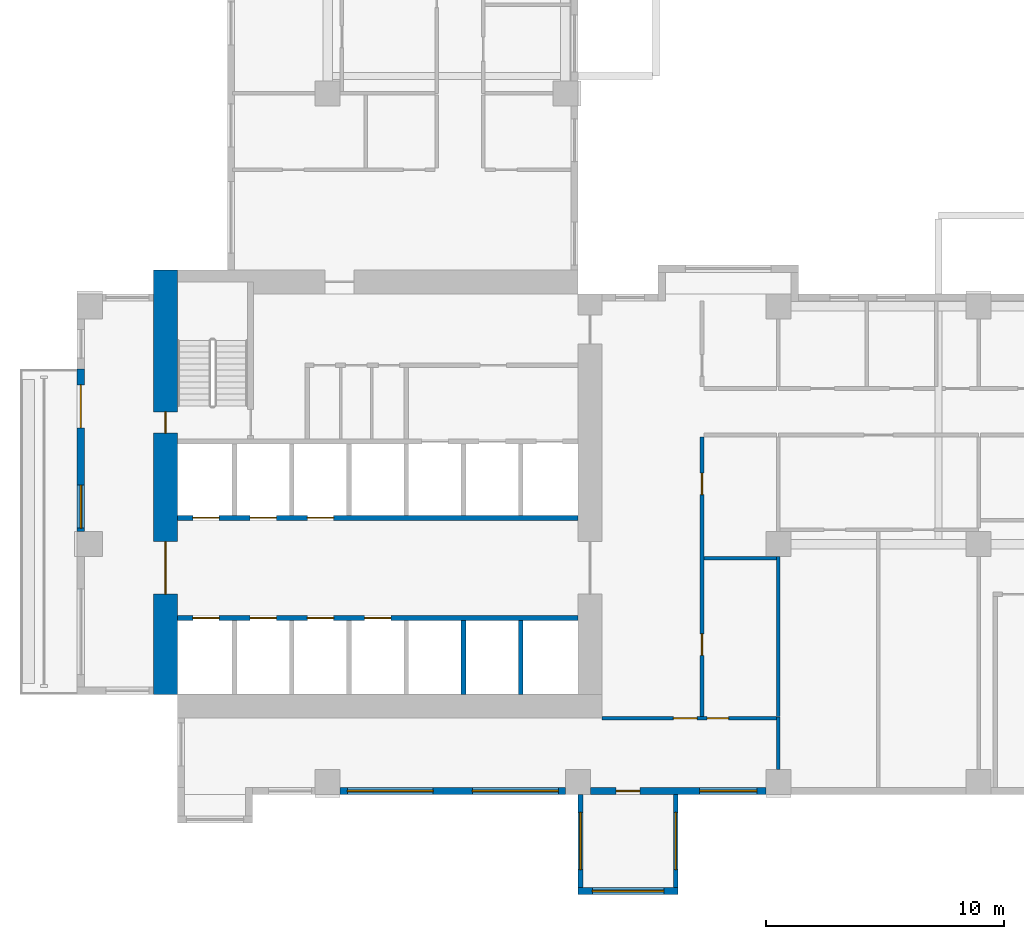
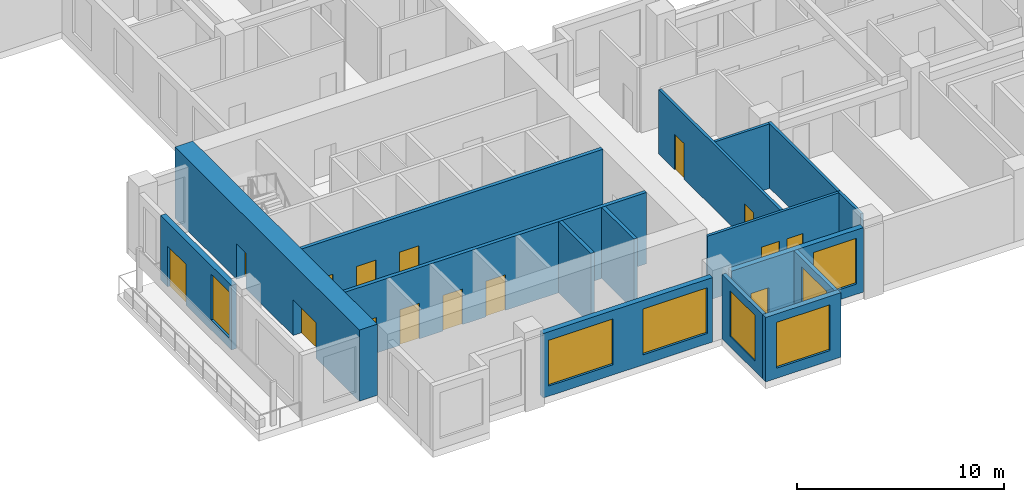
# One storey, part 2 of 14: 16 walls, 15 doors, 7 windows, 22 openings.
"""IFC4 building model written with IfcOpenShell, lengths in metres."""

from ifc_helpers import new_model, si_unit, direction, frame, frame_2d, origin, place, context, subcontext, project, spatial, rectangle, extrude, source, transform, mapped, material, layer, layer_set, type_object, element, fill, save


model = new_model("IFC4")

# Units and contexts
model_context = context("Model", 3, precision=1e-05, world=origin(), true_north=direction((0.0, 1.0)))
body_context = subcontext(model_context, "Body", "Model", "MODEL_VIEW")
ifc_project = project(units=[si_unit("LENGTHUNIT", "METRE"), si_unit("AREAUNIT", "SQUARE_METRE"), si_unit("VOLUMEUNIT", "CUBIC_METRE"), si_unit("PLANEANGLEUNIT", "RADIAN"), si_unit("MASSUNIT", "GRAM", prefix="KILO")], contexts=[model_context])

# Site, building, storey
site_placement = place(None, origin())
site = spatial("IfcSite", under=ifc_project, at=site_placement, CompositionType="ELEMENT")
building_placement = place(site_placement, origin())
building = spatial("IfcBuilding", under=site, at=building_placement, Name="Aurelian Terraces", CompositionType="ELEMENT")
storey_placement = place(building_placement, frame((0.0, 0.0, 116.1)))
storey = spatial("IfcBuildingStorey", under=building, at=storey_placement, Name="L25", CompositionType="ELEMENT", Elevation=116.1)

# Wall, openings, doors
ifc_material_1 = material(Name="Gypsum board on steel studs", Category="steel")
ifc_layer_1 = layer(ifc_material_1, 0.15)
ifc_layer_set_1 = layer_set([ifc_layer_1], Name="Partition 150")
wall_type_1 = type_object("IfcWallType", Name="Partition 150", PredefinedType="PARTITIONING", material=ifc_layer_set_1)
wall_1_placement = place(storey_placement, frame((26.2, 15.0, 0.0), z_axis=(0.0, 0.0, 1.0), x_axis=(0.0, -1.0, 0.0)))
wall_1 = element("IfcWall", 1, at=wall_1_placement, inside=storey, type_object=wall_type_1, Name="Partition", PredefinedType="PARTITIONING", context=body_context, shape_type="SweptSolid", body=[
    extrude(rectangle(XDim=11.725, YDim=0.15, at=frame_2d((5.8625, 0.0))), origin(), (0.0, 0.0, 1.0), 3.8),
])
shared_shape_1 = source(origin(), body_context, "Body", "SweptSolid", [
    extrude(rectangle(XDim=0.9, YDim=2.1, at=frame_2d((0.45, 1.05))), frame((0.0, 0.085, 0.0), z_axis=(0.0, -1.0, 0.0), x_axis=(1.0, 0.0, 0.0)), (0.0, 0.0, 1.0), 0.17),
])
opening_1_placement = place(wall_1_placement, frame((8.2625, 0.0, 0.0)))
opening_1 = element("IfcOpeningElement", 2, at=opening_1_placement, cuts=wall_1, Name="Opening 725001", PredefinedType="OPENING", context=body_context, shape_type="MappedRepresentation", body=[
    mapped(shared_shape_1, transform((0.0, 0.0, 0.0), scale=1.0)),
])
opening_2_placement = place(wall_1_placement, frame((1.525, 0.0, 0.0)))
opening_2 = element("IfcOpeningElement", 3, at=opening_2_placement, cuts=wall_1, Name="Opening 725002", PredefinedType="OPENING", context=body_context, shape_type="MappedRepresentation", body=[
    mapped(shared_shape_1, transform((0.0, 0.0, 0.0), scale=1.0)),
])
ifc_material_2 = material(Name="Timber door leaf", Category="wood")
door_type_1 = type_object("IfcDoorType", Name="Room door 900x2100 right", OperationType="SINGLE_SWING_RIGHT", PredefinedType="DOOR", material=ifc_material_2)
shared_shape_2 = source(origin(), body_context, "Body", "SweptSolid", [
    extrude(rectangle(XDim=0.9, YDim=2.1, at=frame_2d((0.45, 1.05))), frame((0.0, 0.025, 0.0), z_axis=(0.0, -1.0, 0.0), x_axis=(1.0, 0.0, 0.0)), (0.0, 0.0, 1.0), 0.05),
])
door_1_placement = place(opening_1_placement, origin())
door_1 = element("IfcDoor", 4, at=door_1_placement, inside=storey, type_object=door_type_1, Name="Door 725001", OperationType="SINGLE_SWING_RIGHT", OverallHeight=2.1, OverallWidth=0.9, PredefinedType="DOOR", context=body_context, shape_type="MappedRepresentation", body=[
    mapped(shared_shape_2, transform((0.0, 0.0, 0.0), scale=1.0)),
])
fill(opening_1, door_1)
door_type_2 = type_object("IfcDoorType", Name="Room door 900x2100 left", OperationType="SINGLE_SWING_LEFT", PredefinedType="DOOR", material=ifc_material_2)
door_2_placement = place(opening_2_placement, origin())
door_2 = element("IfcDoor", 5, at=door_2_placement, inside=storey, type_object=door_type_2, Name="Door 725002", OperationType="SINGLE_SWING_LEFT", OverallHeight=2.1, OverallWidth=0.9, PredefinedType="DOOR", context=body_context, shape_type="MappedRepresentation", body=[
    mapped(shared_shape_2, transform((0.0, 0.0, 0.0), scale=1.0)),
])
fill(opening_2, door_2)

# Wall
wall_2_placement = place(storey_placement, frame((29.325, 9.9, 0.0), z_axis=(0.0, 0.0, 1.0), x_axis=(-1.0, 0.0, 0.0)))
element("IfcWall", 6, at=wall_2_placement, inside=storey, type_object=wall_type_1, Name="Partition", PredefinedType="PARTITIONING", context=body_context, shape_type="SweptSolid", body=[
    extrude(rectangle(XDim=3.05, YDim=0.15, at=frame_2d((1.525, 0.0))), origin(), (0.0, 0.0, 1.0), 3.8),
])

# Wall, openings, doors
ifc_material_3 = material(Name="Concrete fc' 83 MPa", Category="concrete")
ifc_layer_2 = layer(ifc_material_3, 1.0)
ifc_layer_set_2 = layer_set([ifc_layer_2], Name="CORE WALL 1000 FC83")
wall_type_2 = type_object("IfcWallType", Name="CORE WALL 1000 FC83", PredefinedType="SHEAR", material=ifc_layer_set_2)
shared_shape_3 = source(origin(), body_context, "Body", "SweptSolid", [
    extrude(rectangle(XDim=17.8, YDim=1.0, at=frame_2d((8.9, 0.0))), origin(), (0.0, 0.0, 1.0), 4.2),
])
wall_3_placement = place(storey_placement, frame((3.7, 4.2, 0.0), z_axis=(0.0, 0.0, 1.0), x_axis=(0.0, 1.0, 0.0)))
wall_3 = element("IfcWall", 7, at=wall_3_placement, inside=storey, type_object=wall_type_2, Name="Core wall W L25", PredefinedType="SHEAR", context=body_context, shape_type="MappedRepresentation", body=[
    mapped(shared_shape_3, transform((0.0, 0.0, 0.0), scale=1.0)),
])
shared_shape_4 = source(origin(), body_context, "Body", "SweptSolid", [
    extrude(rectangle(XDim=2.2, YDim=2.1, at=frame_2d((1.1, 1.05))), frame((0.0, 0.51, 0.0), z_axis=(0.0, -1.0, 0.0), x_axis=(1.0, 0.0, 0.0)), (0.0, 0.0, 1.0), 1.02),
])
opening_3_placement = place(wall_3_placement, frame((4.2, 0.0, 0.0)))
opening_3 = element("IfcOpeningElement", 8, at=opening_3_placement, cuts=wall_3, Name="Opening 62822", PredefinedType="OPENING", context=body_context, shape_type="MappedRepresentation", body=[
    mapped(shared_shape_4, transform((0.0, 0.0, 0.0), scale=1.0)),
])
shared_shape_5 = source(origin(), body_context, "Body", "SweptSolid", [
    extrude(rectangle(XDim=0.9, YDim=2.1, at=frame_2d((0.45, 1.05))), frame((0.0, 0.51, 0.0), z_axis=(0.0, -1.0, 0.0), x_axis=(1.0, 0.0, 0.0)), (0.0, 0.0, 1.0), 1.02),
])
opening_4_placement = place(wall_3_placement, frame((10.95, 0.0, 0.0)))
opening_4 = element("IfcOpeningElement", 9, at=opening_4_placement, cuts=wall_3, Name="Opening 62825", PredefinedType="OPENING", context=body_context, shape_type="MappedRepresentation", body=[
    mapped(shared_shape_5, transform((0.0, 0.0, 0.0), scale=1.0)),
])
ifc_material_4 = material(Name="Steel door leaf", Category="steel")
door_type_3 = type_object("IfcDoorType", Name="Core service door 900x2100", OperationType="SINGLE_SWING_LEFT", PredefinedType="DOOR", material=ifc_material_4)
door_3_placement = place(opening_4_placement, origin())
door_3 = element("IfcDoor", 10, at=door_3_placement, inside=storey, type_object=door_type_3, Name="Core door 62825", OperationType="SINGLE_SWING_LEFT", OverallHeight=2.1, OverallWidth=0.9, PredefinedType="DOOR", context=body_context, shape_type="MappedRepresentation", body=[
    mapped(shared_shape_2, transform((0.0, 0.0, 0.0), scale=1.0)),
])
fill(opening_4, door_3)
door_type_4 = type_object("IfcDoorType", Name="Core double door 2200x2100", OperationType="DOUBLE_DOOR_SINGLE_SWING", PredefinedType="DOOR", material=ifc_material_4)
shared_shape_6 = source(origin(), body_context, "Body", "SweptSolid", [
    extrude(rectangle(XDim=2.2, YDim=2.1, at=frame_2d((1.1, 1.05))), frame((0.0, 0.025, 0.0), z_axis=(0.0, -1.0, 0.0), x_axis=(1.0, 0.0, 0.0)), (0.0, 0.0, 1.0), 0.05),
])
door_4_placement = place(opening_3_placement, origin())
door_4 = element("IfcDoor", 11, at=door_4_placement, inside=storey, type_object=door_type_4, Name="Core door 62822", OperationType="DOUBLE_DOOR_SINGLE_SWING", OverallHeight=2.1, OverallWidth=2.2, PredefinedType="DOOR", context=body_context, shape_type="MappedRepresentation", body=[
    mapped(shared_shape_6, transform((0.0, 0.0, 0.0), scale=1.0)),
])
fill(opening_3, door_4)

# Wall, opening, window
ifc_material_5 = material(Name="Concrete fc' 40 MPa", Category="concrete")
ifc_layer_3 = layer(ifc_material_5, 0.2)
ifc_layer_set_3 = layer_set([ifc_layer_3], Name="BOX BEARING WALL 200")
wall_type_3 = type_object("IfcWallType", Name="BOX BEARING WALL 200", PredefinedType="SOLIDWALL", material=ifc_layer_set_3)
shared_shape_7 = source(origin(), body_context, "Body", "SweptSolid", [
    extrude(rectangle(XDim=3.9, YDim=0.2, at=frame_2d((1.95, 0.0))), origin(), (0.0, 0.0, 1.0), 3.8),
])
wall_4_placement = place(storey_placement, frame((21.1, 0.0, 0.0), z_axis=(0.0, 0.0, 1.0), x_axis=(0.0, -1.0, 0.0)))
wall_4 = element("IfcWall", 12, at=wall_4_placement, inside=storey, type_object=wall_type_3, Name="Box return L25 J35.1", PredefinedType="SOLIDWALL", context=body_context, shape_type="MappedRepresentation", body=[
    mapped(shared_shape_7, transform((0.0, 0.0, 0.0), scale=1.0)),
])
shared_shape_8 = source(origin(), body_context, "Body", "SweptSolid", [
    extrude(rectangle(XDim=2.4, YDim=2.7, at=frame_2d((1.2, 1.35))), frame((0.0, 0.11, 0.0), z_axis=(0.0, -1.0, 0.0), x_axis=(1.0, 0.0, 0.0)), (0.0, 0.0, 1.0), 0.22),
])
opening_5_placement = place(wall_4_placement, frame((0.75, 0.0, 0.6)))
opening_5 = element("IfcOpeningElement", 13, at=opening_5_placement, cuts=wall_4, Name="Opening W2427", PredefinedType="OPENING", context=body_context, shape_type="MappedRepresentation", body=[
    mapped(shared_shape_8, transform((0.0, 0.0, 0.0), scale=1.0)),
])
ifc_material_6 = material(Name="Clear glazing", Category="glass")
window_type_1 = type_object("IfcWindowType", Name="W-2400x2700", PartitioningType="SINGLE_PANEL", PredefinedType="WINDOW", material=ifc_material_6)
shared_shape_9 = source(origin(), body_context, "Body", "SweptSolid", [
    extrude(rectangle(XDim=2.4, YDim=2.7, at=frame_2d((1.2, 1.35))), frame((0.0, 0.03, 0.0), z_axis=(0.0, -1.0, 0.0), x_axis=(1.0, 0.0, 0.0)), (0.0, 0.0, 1.0), 0.06),
])
window_1_placement = place(opening_5_placement, origin())
window_1 = element("IfcWindow", 14, at=window_1_placement, inside=storey, type_object=window_type_1, Name="Window L25 J35-S1", OverallHeight=2.7, OverallWidth=2.4, PartitioningType="SINGLE_PANEL", PredefinedType="WINDOW", context=body_context, shape_type="MappedRepresentation", body=[
    mapped(shared_shape_9, transform((0.0, 0.0, 0.0), scale=1.0)),
])
fill(opening_5, window_1)

wall_5_placement = place(storey_placement, frame((25.1, 0.0, 0.0), z_axis=(0.0, 0.0, 1.0), x_axis=(0.0, -1.0, 0.0)))
wall_5 = element("IfcWall", 15, at=wall_5_placement, inside=storey, type_object=wall_type_3, Name="Box return L25 J35.2", PredefinedType="SOLIDWALL", context=body_context, shape_type="MappedRepresentation", body=[
    mapped(shared_shape_7, transform((0.0, 0.0, 0.0), scale=1.0)),
])
opening_6_placement = place(wall_5_placement, frame((0.75, 0.0, 0.6)))
opening_6 = element("IfcOpeningElement", 16, at=opening_6_placement, cuts=wall_5, Name="Opening W2427", PredefinedType="OPENING", context=body_context, shape_type="MappedRepresentation", body=[
    mapped(shared_shape_8, transform((0.0, 0.0, 0.0), scale=1.0)),
])
window_2_placement = place(opening_6_placement, origin())
window_2 = element("IfcWindow", 17, at=window_2_placement, inside=storey, type_object=window_type_1, Name="Window L25 J35-S2", OverallHeight=2.7, OverallWidth=2.4, PartitioningType="SINGLE_PANEL", PredefinedType="WINDOW", context=body_context, shape_type="MappedRepresentation", body=[
    mapped(shared_shape_9, transform((0.0, 0.0, 0.0), scale=1.0)),
])
fill(opening_6, window_2)

ifc_layer_4 = layer(ifc_material_5, 0.3)
ifc_layer_set_4 = layer_set([ifc_layer_4], Name="BOX BEARING WALL 300")
wall_type_4 = type_object("IfcWallType", Name="BOX BEARING WALL 300", PredefinedType="SOLIDWALL", material=ifc_layer_set_4)
shared_shape_10 = source(origin(), body_context, "Body", "SweptSolid", [
    extrude(rectangle(XDim=4.2, YDim=0.3, at=frame_2d((2.1, 0.0))), origin(), (0.0, 0.0, 1.0), 3.8),
])
wall_6_placement = place(storey_placement, frame((21.0, -4.05, 0.0), z_axis=(0.0, 0.0, 1.0), x_axis=(1.0, 0.0, 0.0)))
wall_6 = element("IfcWall", 18, at=wall_6_placement, inside=storey, type_object=wall_type_4, Name="Box wall L25 J35", PredefinedType="SOLIDWALL", context=body_context, shape_type="MappedRepresentation", body=[
    mapped(shared_shape_10, transform((0.0, 0.0, 0.0), scale=1.0)),
])
shared_shape_11 = source(origin(), body_context, "Body", "SweptSolid", [
    extrude(rectangle(XDim=3.0, YDim=2.7, at=frame_2d((1.5, 1.35))), frame((0.0, 0.16, 0.0), z_axis=(0.0, -1.0, 0.0), x_axis=(1.0, 0.0, 0.0)), (0.0, 0.0, 1.0), 0.32),
])
opening_7_placement = place(wall_6_placement, frame((0.6, 0.0, 0.6)))
opening_7 = element("IfcOpeningElement", 19, at=opening_7_placement, cuts=wall_6, Name="Opening W3027", PredefinedType="OPENING", context=body_context, shape_type="MappedRepresentation", body=[
    mapped(shared_shape_11, transform((0.0, 0.0, 0.0), scale=1.0)),
])
window_type_2 = type_object("IfcWindowType", Name="W-3000x2700", PartitioningType="SINGLE_PANEL", PredefinedType="WINDOW", material=ifc_material_6)
shared_shape_12 = source(origin(), body_context, "Body", "SweptSolid", [
    extrude(rectangle(XDim=3.0, YDim=2.7, at=frame_2d((1.5, 1.35))), frame((0.0, 0.03, 0.0), z_axis=(0.0, -1.0, 0.0), x_axis=(1.0, 0.0, 0.0)), (0.0, 0.0, 1.0), 0.06),
])
window_3_placement = place(opening_7_placement, origin())
window_3 = element("IfcWindow", 20, at=window_3_placement, inside=storey, type_object=window_type_2, Name="Window L25 J35-F1", OverallHeight=2.7, OverallWidth=3.0, PartitioningType="SINGLE_PANEL", PredefinedType="WINDOW", context=body_context, shape_type="MappedRepresentation", body=[
    mapped(shared_shape_12, transform((0.0, 0.0, 0.0), scale=1.0)),
])
fill(opening_7, window_3)

# Wall, openings, window, door
ifc_material_7 = material(Name="Terracotta rainscreen cladding", Category="masonry")
ifc_layer_5 = layer(ifc_material_7, 0.3)
ifc_layer_set_5 = layer_set([ifc_layer_5], Name="EW-300")
wall_type_5 = type_object("IfcWallType", Name="EW-300", PredefinedType="STANDARD", material=ifc_layer_set_5)
shared_shape_13 = source(origin(), body_context, "Body", "SweptSolid", [
    extrude(rectangle(XDim=7.35, YDim=0.3, at=frame_2d((3.675, 0.0))), origin(), (0.0, 0.0, 1.0), 3.8),
])
wall_7_placement = place(storey_placement, frame((21.525, 0.15, 0.0), z_axis=(0.0, 0.0, 1.0), x_axis=(1.0, 0.0, 0.0)))
wall_7 = element("IfcWall", 21, at=wall_7_placement, inside=storey, type_object=wall_type_5, Name="External wall L25 F01.4", PredefinedType="STANDARD", context=body_context, shape_type="MappedRepresentation", body=[
    mapped(shared_shape_13, transform((0.0, 0.0, 0.0), scale=1.0)),
])
shared_shape_14 = source(origin(), body_context, "Body", "SweptSolid", [
    extrude(rectangle(XDim=2.4, YDim=2.7, at=frame_2d((1.2, 1.35))), frame((0.0, 0.16, 0.0), z_axis=(0.0, -1.0, 0.0), x_axis=(1.0, 0.0, 0.0)), (0.0, 0.0, 1.0), 0.32),
])
opening_8_placement = place(wall_7_placement, frame((4.575, 0.0, 0.6)))
opening_8 = element("IfcOpeningElement", 22, at=opening_8_placement, cuts=wall_7, Name="Opening W2427", PredefinedType="OPENING", context=body_context, shape_type="MappedRepresentation", body=[
    mapped(shared_shape_14, transform((0.0, 0.0, 0.0), scale=1.0)),
])
shared_shape_15 = source(origin(), body_context, "Body", "SweptSolid", [
    extrude(rectangle(XDim=1.0, YDim=2.1, at=frame_2d((0.5, 1.05))), frame((0.0, 0.16, 0.0), z_axis=(0.0, -1.0, 0.0), x_axis=(1.0, 0.0, 0.0)), (0.0, 0.0, 1.0), 0.32),
])
opening_9_placement = place(wall_7_placement, frame((1.075, 0.0, 0.0)))
opening_9 = element("IfcOpeningElement", 23, at=opening_9_placement, cuts=wall_7, Name="Opening 825001", PredefinedType="OPENING", context=body_context, shape_type="MappedRepresentation", body=[
    mapped(shared_shape_15, transform((0.0, 0.0, 0.0), scale=1.0)),
])
window_4_placement = place(opening_8_placement, origin())
window_4 = element("IfcWindow", 24, at=window_4_placement, inside=storey, type_object=window_type_1, Name="Window L25 L25-F01-04-1", OverallHeight=2.7, OverallWidth=2.4, PartitioningType="SINGLE_PANEL", PredefinedType="WINDOW", context=body_context, shape_type="MappedRepresentation", body=[
    mapped(shared_shape_9, transform((0.0, 0.0, 0.0), scale=1.0)),
])
fill(opening_8, window_4)
door_type_5 = type_object("IfcDoorType", Name="Room door 1000x2100 left", OperationType="SINGLE_SWING_LEFT", PredefinedType="DOOR", material=ifc_material_2)
shared_shape_16 = source(origin(), body_context, "Body", "SweptSolid", [
    extrude(rectangle(XDim=1.0, YDim=2.1, at=frame_2d((0.5, 1.05))), frame((0.0, 0.025, 0.0), z_axis=(0.0, -1.0, 0.0), x_axis=(1.0, 0.0, 0.0)), (0.0, 0.0, 1.0), 0.05),
])
door_5_placement = place(opening_9_placement, origin())
door_5 = element("IfcDoor", 25, at=door_5_placement, inside=storey, type_object=door_type_5, Name="Door 825001", OperationType="SINGLE_SWING_LEFT", OverallHeight=2.1, OverallWidth=1.0, PredefinedType="DOOR", context=body_context, shape_type="MappedRepresentation", body=[
    mapped(shared_shape_16, transform((0.0, 0.0, 0.0), scale=1.0)),
])
fill(opening_9, door_5)

# Wall, openings, door, window
shared_shape_17 = source(origin(), body_context, "Body", "SweptSolid", [
    extrude(rectangle(XDim=6.825, YDim=0.3, at=frame_2d((3.4125, 0.0))), origin(), (0.0, 0.0, 1.0), 3.8),
])
wall_8_placement = place(storey_placement, frame((0.15, 17.85, 0.0), z_axis=(0.0, 0.0, 1.0), x_axis=(0.0, -1.0, 0.0)))
wall_8 = element("IfcWall", 26, at=wall_8_placement, inside=storey, type_object=wall_type_5, Name="External wall L25 F20.40", PredefinedType="STANDARD", context=body_context, shape_type="MappedRepresentation", body=[
    mapped(shared_shape_17, transform((0.0, 0.0, 0.0), scale=1.0)),
])
shared_shape_18 = source(origin(), body_context, "Body", "SweptSolid", [
    extrude(rectangle(XDim=1.8, YDim=2.4, at=frame_2d((0.9, 1.2))), frame((0.0, 0.16, 0.0), z_axis=(0.0, -1.0, 0.0), x_axis=(1.0, 0.0, 0.0)), (0.0, 0.0, 1.0), 0.32),
])
opening_10_placement = place(wall_8_placement, frame((0.675, 0.0, 0.0)))
opening_10 = element("IfcOpeningElement", 27, at=opening_10_placement, cuts=wall_8, Name="Opening 82501", PredefinedType="OPENING", context=body_context, shape_type="MappedRepresentation", body=[
    mapped(shared_shape_18, transform((0.0, 0.0, 0.0), scale=1.0)),
])
shared_shape_19 = source(origin(), body_context, "Body", "SweptSolid", [
    extrude(rectangle(XDim=1.8, YDim=2.7, at=frame_2d((0.9, 1.35))), frame((0.0, 0.16, 0.0), z_axis=(0.0, -1.0, 0.0), x_axis=(1.0, 0.0, 0.0)), (0.0, 0.0, 1.0), 0.32),
])
opening_11_placement = place(wall_8_placement, frame((4.875, 0.0, 0.6)))
opening_11 = element("IfcOpeningElement", 28, at=opening_11_placement, cuts=wall_8, Name="Opening W1827", PredefinedType="OPENING", context=body_context, shape_type="MappedRepresentation", body=[
    mapped(shared_shape_19, transform((0.0, 0.0, 0.0), scale=1.0)),
])
door_type_6 = type_object("IfcDoorType", Name="BD-1800x2400", OperationType="SLIDING_TO_LEFT", PredefinedType="DOOR", material=ifc_material_6)
shared_shape_20 = source(origin(), body_context, "Body", "SweptSolid", [
    extrude(rectangle(XDim=1.8, YDim=2.4, at=frame_2d((0.9, 1.2))), frame((0.0, 0.025, 0.0), z_axis=(0.0, -1.0, 0.0), x_axis=(1.0, 0.0, 0.0)), (0.0, 0.0, 1.0), 0.05),
])
door_6_placement = place(opening_10_placement, origin())
door_6 = element("IfcDoor", 29, at=door_6_placement, inside=storey, type_object=door_type_6, Name="Balcony door L25 F20.40", OperationType="SLIDING_TO_LEFT", OverallHeight=2.4, OverallWidth=1.8, PredefinedType="DOOR", context=body_context, shape_type="MappedRepresentation", body=[
    mapped(shared_shape_20, transform((0.0, 0.0, 0.0), scale=1.0)),
])
fill(opening_10, door_6)
window_type_3 = type_object("IfcWindowType", Name="W-1800x2700", PartitioningType="SINGLE_PANEL", PredefinedType="WINDOW", material=ifc_material_6)
shared_shape_21 = source(origin(), body_context, "Body", "SweptSolid", [
    extrude(rectangle(XDim=1.8, YDim=2.7, at=frame_2d((0.9, 1.35))), frame((0.0, 0.03, 0.0), z_axis=(0.0, -1.0, 0.0), x_axis=(1.0, 0.0, 0.0)), (0.0, 0.0, 1.0), 0.06),
])
window_5_placement = place(opening_11_placement, origin())
window_5 = element("IfcWindow", 30, at=window_5_placement, inside=storey, type_object=window_type_3, Name="Window L25 L25-F20-40-1", OverallHeight=2.7, OverallWidth=1.8, PartitioningType="SINGLE_PANEL", PredefinedType="WINDOW", context=body_context, shape_type="MappedRepresentation", body=[
    mapped(shared_shape_21, transform((0.0, 0.0, 0.0), scale=1.0)),
])
fill(opening_11, window_5)

# Wall, openings, windows
shared_shape_22 = source(origin(), body_context, "Body", "SweptSolid", [
    extrude(rectangle(XDim=9.45, YDim=0.3, at=frame_2d((4.725, 0.0))), origin(), (0.0, 0.0, 1.0), 3.8),
])
wall_9_placement = place(storey_placement, frame((11.025, 0.15, 0.0), z_axis=(0.0, 0.0, 1.0), x_axis=(1.0, 0.0, 0.0)))
wall_9 = element("IfcWall", 31, at=wall_9_placement, inside=storey, type_object=wall_type_5, Name="External wall L25 F01.3", PredefinedType="STANDARD", context=body_context, shape_type="MappedRepresentation", body=[
    mapped(shared_shape_22, transform((0.0, 0.0, 0.0), scale=1.0)),
])
shared_shape_23 = source(origin(), body_context, "Body", "SweptSolid", [
    extrude(rectangle(XDim=3.6, YDim=2.7, at=frame_2d((1.8, 1.35))), frame((0.0, 0.16, 0.0), z_axis=(0.0, -1.0, 0.0), x_axis=(1.0, 0.0, 0.0)), (0.0, 0.0, 1.0), 0.32),
])
opening_12_placement = place(wall_9_placement, frame((0.3, 0.0, 0.6)))
opening_12 = element("IfcOpeningElement", 32, at=opening_12_placement, cuts=wall_9, Name="Opening W3627", PredefinedType="OPENING", context=body_context, shape_type="MappedRepresentation", body=[
    mapped(shared_shape_23, transform((0.0, 0.0, 0.0), scale=1.0)),
])
opening_13_placement = place(wall_9_placement, frame((5.55, 0.0, 0.6)))
opening_13 = element("IfcOpeningElement", 33, at=opening_13_placement, cuts=wall_9, Name="Opening W3627", PredefinedType="OPENING", context=body_context, shape_type="MappedRepresentation", body=[
    mapped(shared_shape_23, transform((0.0, 0.0, 0.0), scale=1.0)),
])
window_type_4 = type_object("IfcWindowType", Name="W-3600x2700", PartitioningType="SINGLE_PANEL", PredefinedType="WINDOW", material=ifc_material_6)
shared_shape_24 = source(origin(), body_context, "Body", "SweptSolid", [
    extrude(rectangle(XDim=3.6, YDim=2.7, at=frame_2d((1.8, 1.35))), frame((0.0, 0.03, 0.0), z_axis=(0.0, -1.0, 0.0), x_axis=(1.0, 0.0, 0.0)), (0.0, 0.0, 1.0), 0.06),
])
window_6_placement = place(opening_12_placement, origin())
window_6 = element("IfcWindow", 34, at=window_6_placement, inside=storey, type_object=window_type_4, Name="Window L25 L25-F01-03-0", OverallHeight=2.7, OverallWidth=3.6, PartitioningType="SINGLE_PANEL", PredefinedType="WINDOW", context=body_context, shape_type="MappedRepresentation", body=[
    mapped(shared_shape_24, transform((0.0, 0.0, 0.0), scale=1.0)),
])
fill(opening_12, window_6)
window_7_placement = place(opening_13_placement, origin())
window_7 = element("IfcWindow", 35, at=window_7_placement, inside=storey, type_object=window_type_4, Name="Window L25 L25-F01-03-1", OverallHeight=2.7, OverallWidth=3.6, PartitioningType="SINGLE_PANEL", PredefinedType="WINDOW", context=body_context, shape_type="MappedRepresentation", body=[
    mapped(shared_shape_24, transform((0.0, 0.0, 0.0), scale=1.0)),
])
fill(opening_13, window_7)

# Walls
ifc_layer_6 = layer(ifc_material_5, 0.2)
ifc_layer_set_6 = layer_set([ifc_layer_6], Name="Lift shaft wall 200")
wall_type_6 = type_object("IfcWallType", Name="Lift shaft wall 200", PredefinedType="SOLIDWALL", material=ifc_layer_set_6)
shared_shape_25 = source(origin(), body_context, "Body", "SweptSolid", [
    extrude(rectangle(XDim=3.1, YDim=0.2, at=frame_2d((1.55, 0.0))), origin(), (0.0, 0.0, 1.0), 4.2),
])
for number, where, z_axis, x_axis, name in (
    (36, (16.2, 4.2, 0.0), (0.0, 0.0, 1.0), (0.0, 1.0, 0.0), "L25 core wall CD-A5"),
    (37, (18.6, 4.2, 0.0), (0.0, 0.0, 1.0), (0.0, 1.0, 0.0), "L25 core wall CD-A6"),
):
    element("IfcWall", number, at=place(storey_placement, frame(where, z_axis=z_axis, x_axis=x_axis)), inside=storey, type_object=wall_type_6, Name=name, PredefinedType="SOLIDWALL", context=body_context, shape_type="MappedRepresentation", body=[
        mapped(shared_shape_25, transform((0.0, 0.0, 0.0), scale=1.0)),
    ])

# Wall, openings, doors
shared_shape_26 = source(origin(), body_context, "Body", "SweptSolid", [
    extrude(rectangle(XDim=16.8, YDim=0.2, at=frame_2d((8.4, 0.0))), origin(), (0.0, 0.0, 1.0), 4.2),
])
wall_10_placement = place(storey_placement, frame((4.2, 7.4, 0.0), z_axis=(0.0, 0.0, 1.0), x_axis=(1.0, 0.0, 0.0)))
wall_10 = element("IfcWall", 38, at=wall_10_placement, inside=storey, type_object=wall_type_6, Name="L25 core wall CF-AF1", PredefinedType="SOLIDWALL", context=body_context, shape_type="MappedRepresentation", body=[
    mapped(shared_shape_26, transform((0.0, 0.0, 0.0), scale=1.0)),
])
shared_shape_27 = source(origin(), body_context, "Body", "SweptSolid", [
    extrude(rectangle(XDim=1.1, YDim=2.1, at=frame_2d((0.55, 1.05))), frame((0.0, 0.11, 0.0), z_axis=(0.0, -1.0, 0.0), x_axis=(1.0, 0.0, 0.0)), (0.0, 0.0, 1.0), 0.22),
])
opening_14_placement = place(wall_10_placement, frame((0.65, 0.0, 0.0)))
opening_14 = element("IfcOpeningElement", 39, at=opening_14_placement, cuts=wall_10, Name="Opening 62800", PredefinedType="OPENING", context=body_context, shape_type="MappedRepresentation", body=[
    mapped(shared_shape_27, transform((0.0, 0.0, 0.0), scale=1.0)),
])
opening_15_placement = place(wall_10_placement, frame((3.05, 0.0, 0.0)))
opening_15 = element("IfcOpeningElement", 40, at=opening_15_placement, cuts=wall_10, Name="Opening 62801", PredefinedType="OPENING", context=body_context, shape_type="MappedRepresentation", body=[
    mapped(shared_shape_27, transform((0.0, 0.0, 0.0), scale=1.0)),
])
opening_16_placement = place(wall_10_placement, frame((5.45, 0.0, 0.0)))
opening_16 = element("IfcOpeningElement", 41, at=opening_16_placement, cuts=wall_10, Name="Opening 62802", PredefinedType="OPENING", context=body_context, shape_type="MappedRepresentation", body=[
    mapped(shared_shape_27, transform((0.0, 0.0, 0.0), scale=1.0)),
])
opening_17_placement = place(wall_10_placement, frame((7.85, 0.0, 0.0)))
opening_17 = element("IfcOpeningElement", 42, at=opening_17_placement, cuts=wall_10, Name="Opening 62803", PredefinedType="OPENING", context=body_context, shape_type="MappedRepresentation", body=[
    mapped(shared_shape_27, transform((0.0, 0.0, 0.0), scale=1.0)),
])
ifc_material_8 = material(Name="Stainless steel", Category="steel")
door_type_7 = type_object("IfcDoorType", Name="Lift landing door 1100x2100", OperationType="SLIDING_TO_LEFT", PredefinedType="DOOR", material=ifc_material_8)
shared_shape_28 = source(origin(), body_context, "Body", "SweptSolid", [
    extrude(rectangle(XDim=1.1, YDim=2.1, at=frame_2d((0.55, 1.05))), frame((0.0, 0.025, 0.0), z_axis=(0.0, -1.0, 0.0), x_axis=(1.0, 0.0, 0.0)), (0.0, 0.0, 1.0), 0.05),
])
door_7_placement = place(opening_14_placement, origin())
door_7 = element("IfcDoor", 43, at=door_7_placement, inside=storey, type_object=door_type_7, Name="Lift landing door LL1 L25", OperationType="SLIDING_TO_LEFT", OverallHeight=2.1, OverallWidth=1.1, PredefinedType="DOOR", context=body_context, shape_type="MappedRepresentation", body=[
    mapped(shared_shape_28, transform((0.0, 0.0, 0.0), scale=1.0)),
])
fill(opening_14, door_7)
door_8_placement = place(opening_15_placement, origin())
door_8 = element("IfcDoor", 44, at=door_8_placement, inside=storey, type_object=door_type_7, Name="Lift landing door LL2 L25", OperationType="SLIDING_TO_LEFT", OverallHeight=2.1, OverallWidth=1.1, PredefinedType="DOOR", context=body_context, shape_type="MappedRepresentation", body=[
    mapped(shared_shape_28, transform((0.0, 0.0, 0.0), scale=1.0)),
])
fill(opening_15, door_8)
door_9_placement = place(opening_16_placement, origin())
door_9 = element("IfcDoor", 45, at=door_9_placement, inside=storey, type_object=door_type_7, Name="Lift landing door LL3 L25", OperationType="SLIDING_TO_LEFT", OverallHeight=2.1, OverallWidth=1.1, PredefinedType="DOOR", context=body_context, shape_type="MappedRepresentation", body=[
    mapped(shared_shape_28, transform((0.0, 0.0, 0.0), scale=1.0)),
])
fill(opening_16, door_9)
door_10_placement = place(opening_17_placement, origin())
door_10 = element("IfcDoor", 46, at=door_10_placement, inside=storey, type_object=door_type_7, Name="Lift landing door LL4 L25", OperationType="SLIDING_TO_LEFT", OverallHeight=2.1, OverallWidth=1.1, PredefinedType="DOOR", context=body_context, shape_type="MappedRepresentation", body=[
    mapped(shared_shape_28, transform((0.0, 0.0, 0.0), scale=1.0)),
])
fill(opening_17, door_10)

wall_11_placement = place(storey_placement, frame((4.2, 11.6, 0.0), z_axis=(0.0, 0.0, 1.0), x_axis=(1.0, 0.0, 0.0)))
wall_11 = element("IfcWall", 47, at=wall_11_placement, inside=storey, type_object=wall_type_6, Name="L25 core wall CF-BF1", PredefinedType="SOLIDWALL", context=body_context, shape_type="MappedRepresentation", body=[
    mapped(shared_shape_26, transform((0.0, 0.0, 0.0), scale=1.0)),
])
opening_18_placement = place(wall_11_placement, frame((0.65, 0.0, 0.0)))
opening_18 = element("IfcOpeningElement", 48, at=opening_18_placement, cuts=wall_11, Name="Opening 62804", PredefinedType="OPENING", context=body_context, shape_type="MappedRepresentation", body=[
    mapped(shared_shape_27, transform((0.0, 0.0, 0.0), scale=1.0)),
])
opening_19_placement = place(wall_11_placement, frame((3.05, 0.0, 0.0)))
opening_19 = element("IfcOpeningElement", 49, at=opening_19_placement, cuts=wall_11, Name="Opening 62805", PredefinedType="OPENING", context=body_context, shape_type="MappedRepresentation", body=[
    mapped(shared_shape_27, transform((0.0, 0.0, 0.0), scale=1.0)),
])
opening_20_placement = place(wall_11_placement, frame((5.45, 0.0, 0.0)))
opening_20 = element("IfcOpeningElement", 50, at=opening_20_placement, cuts=wall_11, Name="Opening 62806", PredefinedType="OPENING", context=body_context, shape_type="MappedRepresentation", body=[
    mapped(shared_shape_27, transform((0.0, 0.0, 0.0), scale=1.0)),
])
door_11_placement = place(opening_18_placement, origin())
door_11 = element("IfcDoor", 51, at=door_11_placement, inside=storey, type_object=door_type_7, Name="Lift landing door LL5 L25", OperationType="SLIDING_TO_LEFT", OverallHeight=2.1, OverallWidth=1.1, PredefinedType="DOOR", context=body_context, shape_type="MappedRepresentation", body=[
    mapped(shared_shape_28, transform((0.0, 0.0, 0.0), scale=1.0)),
])
fill(opening_18, door_11)
door_12_placement = place(opening_19_placement, origin())
door_12 = element("IfcDoor", 52, at=door_12_placement, inside=storey, type_object=door_type_7, Name="Lift landing door LL6 L25", OperationType="SLIDING_TO_LEFT", OverallHeight=2.1, OverallWidth=1.1, PredefinedType="DOOR", context=body_context, shape_type="MappedRepresentation", body=[
    mapped(shared_shape_28, transform((0.0, 0.0, 0.0), scale=1.0)),
])
fill(opening_19, door_12)
door_13_placement = place(opening_20_placement, origin())
door_13 = element("IfcDoor", 53, at=door_13_placement, inside=storey, type_object=door_type_7, Name="Lift landing door LL7 L25", OperationType="SLIDING_TO_LEFT", OverallHeight=2.1, OverallWidth=1.1, PredefinedType="DOOR", context=body_context, shape_type="MappedRepresentation", body=[
    mapped(shared_shape_28, transform((0.0, 0.0, 0.0), scale=1.0)),
])
fill(opening_20, door_13)

# Walls
shared_shape_29 = source(origin(), body_context, "Body", "SweptSolid", [
    extrude(rectangle(XDim=6.701, YDim=0.15, at=frame_2d((3.3505, 0.0))), origin(), (0.0, 0.0, 1.0), 3.8),
])
wall_12_placement = place(storey_placement, frame((29.4, 3.275, 0.0), z_axis=(0.0, 0.0, 1.0), x_axis=(0.0, 1.0, 0.0)))
element("IfcWall", 54, at=wall_12_placement, inside=storey, type_object=wall_type_1, Name="Partition", PredefinedType="PARTITIONING", context=body_context, shape_type="MappedRepresentation", body=[
    mapped(shared_shape_29, transform((0.0, 0.0, 0.0), scale=1.0)),
])
shared_shape_30 = source(origin(), body_context, "Body", "SweptSolid", [
    extrude(rectangle(XDim=2.206, YDim=0.15, at=frame_2d((1.103, 0.0))), origin(), (0.0, 0.0, 1.0), 3.8),
])
wall_13_placement = place(storey_placement, frame((29.4, 1.049, 0.0), z_axis=(0.0, 0.0, 1.0), x_axis=(0.0, 1.0, 0.0)))
element("IfcWall", 55, at=wall_13_placement, inside=storey, type_object=wall_type_1, Name="Partition", PredefinedType="PARTITIONING", context=body_context, shape_type="MappedRepresentation", body=[
    mapped(shared_shape_30, transform((0.0, 0.0, 0.0), scale=1.0)),
])

# Wall, openings, doors
shared_shape_31 = source(origin(), body_context, "Body", "SweptSolid", [
    extrude(rectangle(XDim=7.325, YDim=0.15, at=frame_2d((3.6625, 0.0))), origin(), (0.0, 0.0, 1.0), 3.8),
])
wall_14_placement = place(storey_placement, frame((22.0, 3.2, 0.0), z_axis=(0.0, 0.0, 1.0), x_axis=(1.0, 0.0, 0.0)))
wall_14 = element("IfcWall", 56, at=wall_14_placement, inside=storey, type_object=wall_type_1, Name="Partition", PredefinedType="PARTITIONING", context=body_context, shape_type="MappedRepresentation", body=[
    mapped(shared_shape_31, transform((0.0, 0.0, 0.0), scale=1.0)),
])
shared_shape_32 = source(origin(), body_context, "Body", "SweptSolid", [
    extrude(rectangle(XDim=1.0, YDim=2.1, at=frame_2d((0.5, 1.05))), frame((0.0, 0.085, 0.0), z_axis=(0.0, -1.0, 0.0), x_axis=(1.0, 0.0, 0.0)), (0.0, 0.0, 1.0), 0.17),
])
opening_21_placement = place(wall_14_placement, frame((3.0, 0.0, 0.0)))
opening_21 = element("IfcOpeningElement", 57, at=opening_21_placement, cuts=wall_14, Name="Opening 725004", PredefinedType="OPENING", context=body_context, shape_type="MappedRepresentation", body=[
    mapped(shared_shape_32, transform((0.0, 0.0, 0.0), scale=1.0)),
])
opening_22_placement = place(wall_14_placement, frame((4.413, 0.0, 0.0)))
opening_22 = element("IfcOpeningElement", 58, at=opening_22_placement, cuts=wall_14, Name="Opening 725049", PredefinedType="OPENING", context=body_context, shape_type="MappedRepresentation", body=[
    mapped(shared_shape_1, transform((0.0, 0.0, 0.0), scale=1.0)),
])
door_14_placement = place(opening_21_placement, origin())
door_14 = element("IfcDoor", 59, at=door_14_placement, inside=storey, type_object=door_type_5, Name="Door 725004", OperationType="SINGLE_SWING_LEFT", OverallHeight=2.1, OverallWidth=1.0, PredefinedType="DOOR", context=body_context, shape_type="MappedRepresentation", body=[
    mapped(shared_shape_16, transform((0.0, 0.0, 0.0), scale=1.0)),
])
fill(opening_21, door_14)
door_15_placement = place(opening_22_placement, origin())
door_15 = element("IfcDoor", 60, at=door_15_placement, inside=storey, type_object=door_type_2, Name="Door 725049", OperationType="SINGLE_SWING_LEFT", OverallHeight=2.1, OverallWidth=0.9, PredefinedType="DOOR", context=body_context, shape_type="MappedRepresentation", body=[
    mapped(shared_shape_2, transform((0.0, 0.0, 0.0), scale=1.0)),
])
fill(opening_22, door_15)

save(model, "model.ifc")
